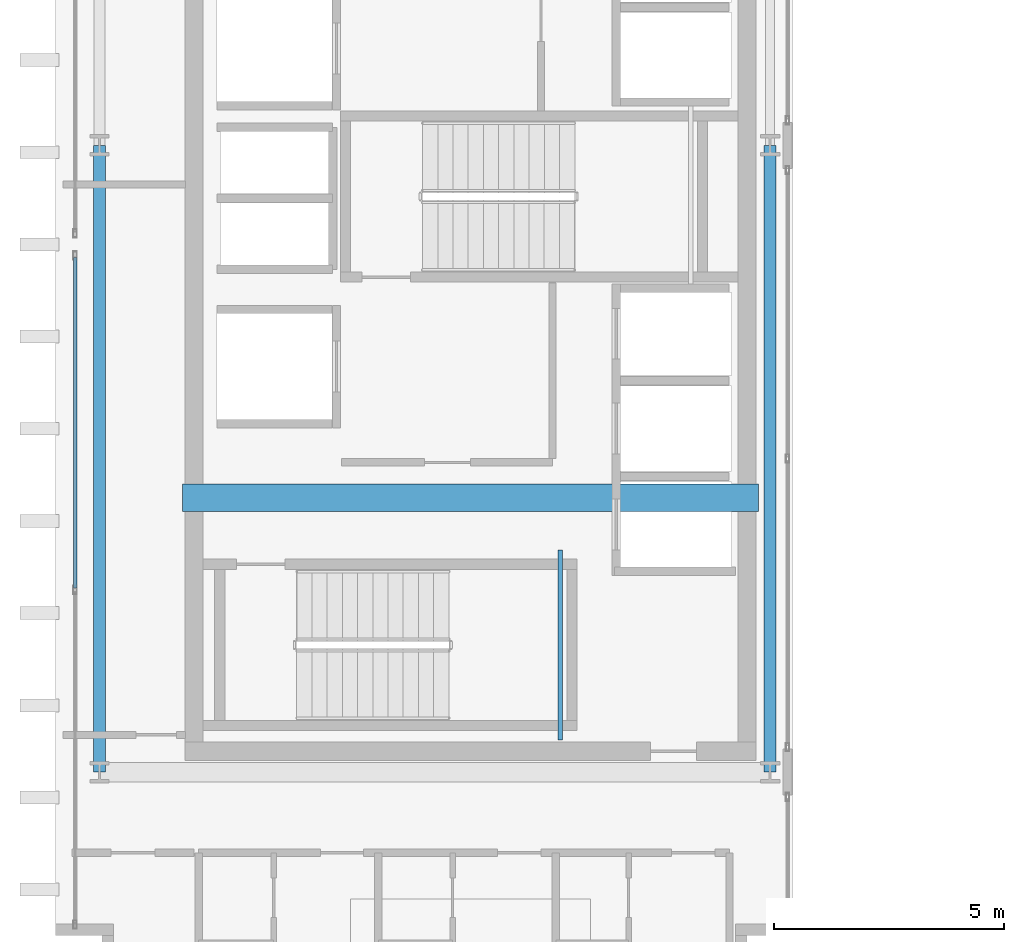
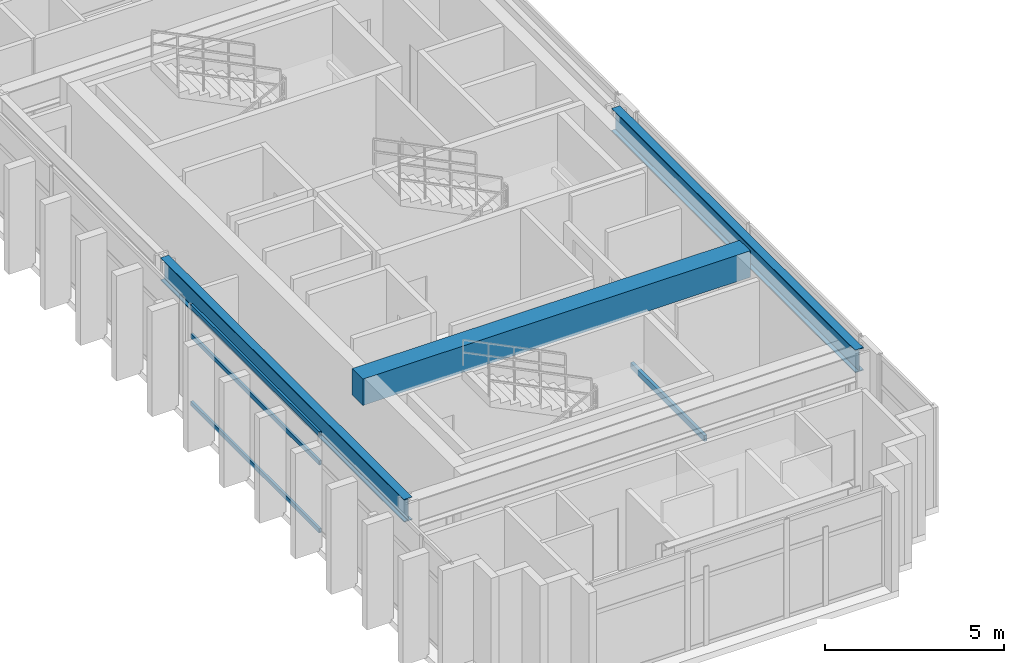
# One storey, part 3 of 25: 4 beams, 3 members, 1 element without a shape of its own.
"""IFC4 building model written with IfcOpenShell, lengths in metres."""

from ifc_helpers import new_model, si_unit, direction, frame, origin, origin_2d, place, context, subcontext, project, spatial, rectangle, hollow_rectangle, i_section, extrude, source, transform, mapped, material, layer, layer_set, material_profile, profile_set, type_object, element, aggregate, save


model = new_model("IFC4")

# Units and contexts
model_context = context("Model", 3, precision=1e-05, world=origin(), true_north=direction((0.0, 1.0)))
body_context = subcontext(model_context, "Body", "Model", "MODEL_VIEW")
ifc_project = project(units=[si_unit("LENGTHUNIT", "METRE"), si_unit("AREAUNIT", "SQUARE_METRE"), si_unit("VOLUMEUNIT", "CUBIC_METRE"), si_unit("PLANEANGLEUNIT", "RADIAN"), si_unit("MASSUNIT", "GRAM", prefix="KILO")], contexts=[model_context])

# Site, building, storey
site_placement = place(None, origin())
site = spatial("IfcSite", under=ifc_project, at=site_placement, CompositionType="ELEMENT")
building_placement = place(site_placement, origin())
building = spatial("IfcBuilding", under=site, at=building_placement, Name="Ocotamira Hotel", CompositionType="ELEMENT")
storey_placement = place(building_placement, frame((0.0, 0.0, 254.39990234375)))
storey = spatial("IfcBuildingStorey", under=building, at=storey_placement, Name="L64", CompositionType="ELEMENT", Elevation=254.39990234375)

# Beams
ifc_material_1 = material(Name="Concrete C50/60", Category="concrete")
ifc_material_profile_1 = material_profile(ifc_material_1, rectangle(XDim=0.60009765625, YDim=0.89990234375, at=origin_2d()), Name="RC600X900")
ifc_profile_set_1 = profile_set([ifc_material_profile_1], Name="Concrete C50/60")
beam_type_1 = type_object("IfcBeamType", Name="BM-LINK-RC600", PredefinedType="LINTEL", material=ifc_profile_set_1)
shared_shape_1 = source(origin(), body_context, "Body", "SweptSolid", [
    extrude(rectangle(XDim=0.60009765625, YDim=0.89990234375, at=origin_2d()), origin(), (0.0, 0.0, 1.0), 12.5),
])
beam_1_placement = place(storey_placement, frame((10.75, 20.5, 2.93017578125), z_axis=(1.0, 0.0, 0.0), x_axis=(0.0, 1.0, 0.0)))
element("IfcBeam", 1, at=beam_1_placement, inside=storey, type_object=beam_type_1, Name="L64 West Core Coupling Beam", PredefinedType="LINTEL", context=body_context, shape_type="MappedRepresentation", body=[
    mapped(shared_shape_1, transform((0.0, 0.0, 0.0), scale=1.0)),
])
ifc_material_2 = material(Name="Steel ASTM A500 Grade C", Category="steel")
ifc_material_profile_2 = material_profile(ifc_material_2, hollow_rectangle(XDim=0.10009765625, YDim=0.199951171875, WallThickness=0.008056640625, at=origin_2d()), Name="HSS200X100X8")
ifc_profile_set_2 = profile_set([ifc_material_profile_2], Name="Steel ASTM A500 Grade C")
beam_type_2 = type_object("IfcBeamType", Name="BM-STLDG-HSS200", PredefinedType="BEAM", material=ifc_profile_set_2)
shared_shape_2 = source(origin(), body_context, "Body", "SweptSolid", [
    extrude(hollow_rectangle(XDim=0.10009765625, YDim=0.199951171875, WallThickness=0.008056640625, at=origin_2d()), origin(), (0.0, 0.0, 1.0), 4.1201171875),
])
beam_2_placement = place(storey_placement, frame((18.949951171875, 15.25, 1.5), z_axis=(0.0, 1.0, 0.0), x_axis=(-1.0, 0.0, 0.0)))
element("IfcBeam", 2, at=beam_2_placement, inside=storey, type_object=beam_type_2, Name="L64 Stair ST-1 Landing Bearer 1", PredefinedType="BEAM", context=body_context, shape_type="MappedRepresentation", body=[
    mapped(shared_shape_2, transform((0.0, 0.0, 0.0), scale=1.0)),
])
ifc_material_3 = material(Name="Steel ASTM A992 Grade 50", Category="steel")
ifc_material_profile_3 = material_profile(ifc_material_3, i_section(OverallWidth=0.26611328125, OverallDepth=0.779052734375, WebThickness=0.0166015625, FlangeThickness=0.030029296875, FilletRadius=0.01806640625, at=origin_2d()), Name="W30X148")
ifc_profile_set_3 = profile_set([ifc_material_profile_3], Name="Steel ASTM A992 Grade 50")
beam_type_3 = type_object("IfcBeamType", Name="BM-GIRD-W30X148", PredefinedType="BEAM", material=ifc_profile_set_3)
shared_shape_3 = source(origin(), body_context, "Body", "SweptSolid", [
    extrude(i_section(OverallWidth=0.26611328125, OverallDepth=0.779052734375, WebThickness=0.0166015625, FlangeThickness=0.030029296875, FilletRadius=0.01806640625, at=origin_2d()), origin(), (0.0, 0.0, 1.0), 13.599853515625),
])
for number, where, z_axis, x_axis, name in (
    (3, (8.949951171875, 14.550048828125, 2.990478515625), (0.0, 1.0, 0.0), (-1.0, 0.0, 0.0), "L64 Beam X8.95 Y14.55-28.15"),
    (4, (23.5, 14.550048828125, 2.990478515625), (0.0, 1.0, 0.0), (-1.0, 0.0, 0.0), "L64 Beam X23.5 Y14.55-28.15"),
):
    element("IfcBeam", number, at=place(storey_placement, frame(where, z_axis=z_axis, x_axis=x_axis)), inside=storey, type_object=beam_type_3, Name=name, PredefinedType="BEAM", context=body_context, shape_type="MappedRepresentation", body=[
        mapped(shared_shape_3, transform((0.0, 0.0, 0.0), scale=1.0)),
    ])

# Curtain wall, members
ifc_material_4 = material(Name="Anodised pale-metal aluminium and solar glass", Category="aluminium")
ifc_layer = layer(ifc_material_4, 0.2099609375)
ifc_layer_set = layer_set([ifc_layer], Name="Anodised pale-metal aluminium and solar glass")
curtain_wall_type = type_object("IfcCurtainWallType", Name="CW-SYS7-PEAK", PredefinedType="NOTDEFINED", material=ifc_layer_set)
curtain_wall_placement = place(storey_placement, origin())
curtain_wall = element("IfcCurtainWall", 5, at=curtain_wall_placement, inside=storey, type_object=curtain_wall_type, Name="L64 Curtain Wall CW-7 CW-L64-WO1", PredefinedType="NOTDEFINED")
ifc_material_5 = material(Name="Anodised pale-metal aluminium 6063-T6", Category="aluminium")
ifc_material_profile_4 = material_profile(ifc_material_5, hollow_rectangle(XDim=0.074951171875, YDim=0.14990234375, WallThickness=0.006103515625, at=origin_2d()), Name="HSS150X75X6")
ifc_profile_set_4 = profile_set([ifc_material_profile_4], Name="Anodised pale-metal aluminium 6063-T6")
member_type = type_object("IfcMemberType", Name="CWT-150X75", PredefinedType="USERDEFINED", material=ifc_profile_set_4)
shared_shape_4 = source(origin(), body_context, "Body", "SweptSolid", [
    extrude(hollow_rectangle(XDim=0.074951171875, YDim=0.14990234375, WallThickness=0.006103515625, at=origin_2d()), origin(), (0.0, 0.0, 1.0), 7.179931640625),
])
member_1_placement = place(storey_placement, frame((8.419921875, 18.5400390625, 0.03759765625), z_axis=(0.0, 1.0, 0.0), x_axis=(-1.0, 0.0, 0.0)))
member_1 = element("IfcMember", 6, at=member_1_placement, type_object=member_type, Name="CW-7 transom 2.1", ObjectType="TRANSOM", PredefinedType="USERDEFINED", context=body_context, shape_type="MappedRepresentation", body=[
    mapped(shared_shape_4, transform((0.0, 0.0, 0.0), scale=1.0)),
])
member_2_placement = place(storey_placement, frame((8.419921875, 18.5400390625, 2.35009765625), z_axis=(0.0, 1.0, 0.0), x_axis=(-1.0, 0.0, 0.0)))
member_2 = element("IfcMember", 7, at=member_2_placement, type_object=member_type, Name="CW-7 transom 2.2", ObjectType="TRANSOM", PredefinedType="USERDEFINED", context=body_context, shape_type="MappedRepresentation", body=[
    mapped(shared_shape_4, transform((0.0, 0.0, 0.0), scale=1.0)),
])
member_3_placement = place(storey_placement, frame((8.419921875, 18.5400390625, 3.342529296875), z_axis=(0.0, 1.0, 0.0), x_axis=(-1.0, 0.0, 0.0)))
member_3 = element("IfcMember", 8, at=member_3_placement, type_object=member_type, Name="CW-7 transom 2.3", ObjectType="TRANSOM", PredefinedType="USERDEFINED", context=body_context, shape_type="MappedRepresentation", body=[
    mapped(shared_shape_4, transform((0.0, 0.0, 0.0), scale=1.0)),
])
aggregate(curtain_wall, [member_1, member_2, member_3])

save(model, "model.ifc")
